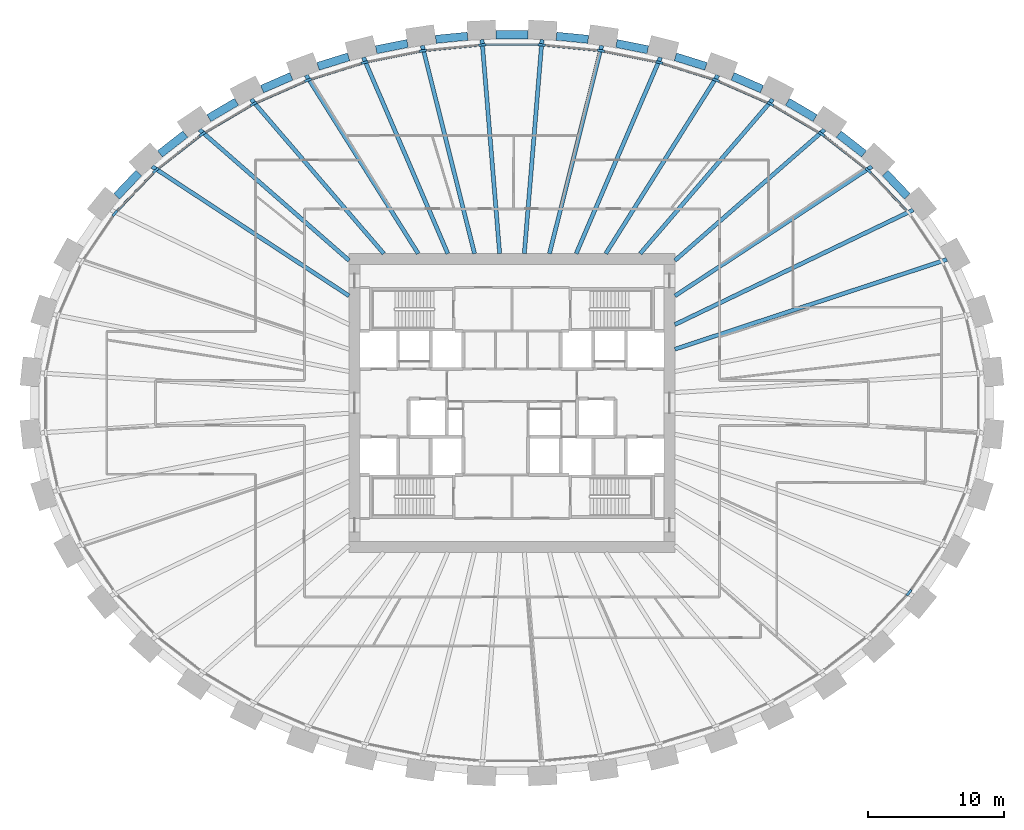
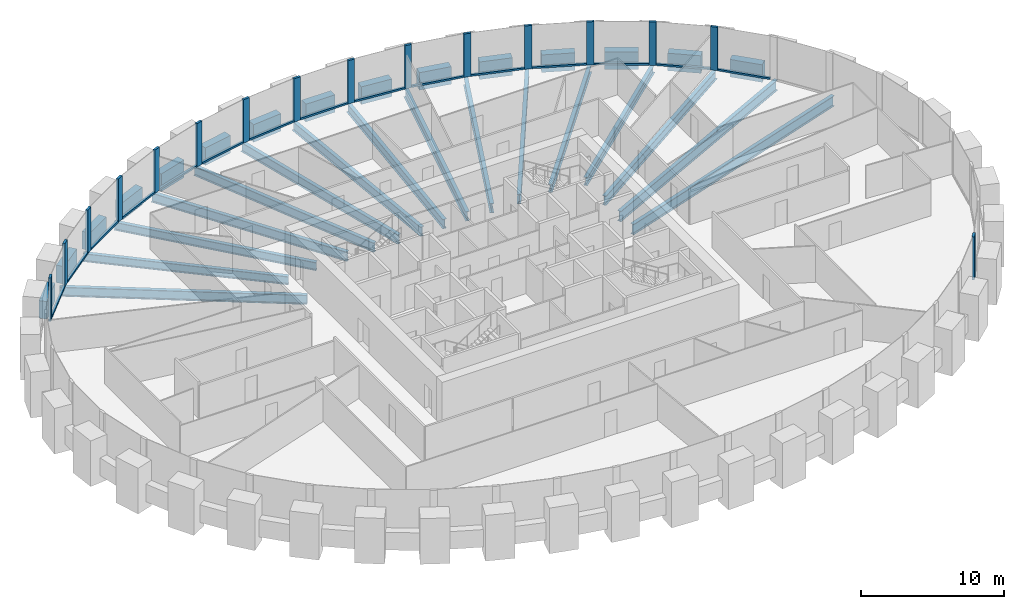
# One storey, part 3 of 11: 31 beams, 31 members, 1 element without a shape of its own.
"""IFC4 building model written with IfcOpenShell, lengths in metres."""

from ifc_helpers import new_model, si_unit, direction, frame, origin, origin_2d, place, context, subcontext, project, spatial, rectangle, i_section, extrude, source, transform, mapped, material, material_profile, profile_set, type_object, element, aggregate, save


model = new_model("IFC4")

# Units and contexts
model_context = context("Model", 3, precision=1e-05, world=origin(), true_north=direction((0.0, 1.0)))
body_context = subcontext(model_context, "Body", "Model", "MODEL_VIEW")
ifc_project = project(units=[si_unit("LENGTHUNIT", "METRE"), si_unit("AREAUNIT", "SQUARE_METRE"), si_unit("VOLUMEUNIT", "CUBIC_METRE"), si_unit("PLANEANGLEUNIT", "RADIAN"), si_unit("MASSUNIT", "GRAM", prefix="KILO")], contexts=[model_context])

# Site, building, storey
site_placement = place(None, origin())
site = spatial("IfcSite", under=ifc_project, at=site_placement, CompositionType="ELEMENT")
building_placement = place(site_placement, origin())
building = spatial("IfcBuilding", under=site, at=building_placement, Name="Embergate Tower", CompositionType="ELEMENT")
storey_placement = place(building_placement, frame((0.0, 0.0, 211.199951171875)))
storey = spatial("IfcBuildingStorey", under=building, at=storey_placement, Name="L48", CompositionType="ELEMENT", Elevation=211.199951171875)

# Beams
ifc_material_1 = material(Name="Concrete C60", Category="concrete")
ifc_material_profile_1 = material_profile(ifc_material_1, rectangle(XDim=0.60009765625, YDim=1.5, at=origin_2d()), Name="RC 600x1500")
ifc_profile_set_1 = profile_set([ifc_material_profile_1], Name="Concrete C60")
beam_type_1 = type_object("IfcBeamType", Name="Spandrel beam RC 600x1500 C60", PredefinedType="BEAM", material=ifc_profile_set_1)
shared_shape_1 = source(origin(), body_context, "Body", "SweptSolid", [
    extrude(rectangle(XDim=0.60009765625, YDim=1.5, at=origin_2d()), origin(), (0.0, 0.0, 1.0), 2.370849609375),
])
for number, where, z_axis, x_axis, name in (
    (1, (29.1240234375, 15.220947265625, 0.0), (-0.690017631866, 0.723792558482, 0.0), (-0.723792558482, -0.690017631866, 0.0), "SPN-L48-03"),
    (2, (-27.488037109375, 16.93701171875, 0.0), (-0.690017631866, -0.723792558482, 0.0), (0.723792558482, -0.690017631866, 0.0), "SPN-L48-17"),
):
    element("IfcBeam", number, at=place(storey_placement, frame(where, z_axis=z_axis, x_axis=x_axis)), inside=storey, type_object=beam_type_1, Name=name, PredefinedType="BEAM", context=body_context, shape_type="MappedRepresentation", body=[
        mapped(shared_shape_1, transform((0.0, 0.0, 0.0))),
    ])
shared_shape_2 = source(origin(), body_context, "Body", "SweptSolid", [
    extrude(rectangle(XDim=0.60009765625, YDim=1.5, at=origin_2d()), origin(), (0.0, 0.0, 1.0), 2.366943359375),
])
for number, where, z_axis, x_axis, name in (
    (3, (25.931884765625, 18.345947265625, 0.0), (-0.788379233054, 0.615189552, 0.0), (-0.615189552, -0.788379233054, 0.0), "SPN-L48-04"),
    (4, (-24.06591796875, 19.802001953125, 0.0), (-0.788379233054, -0.615189552, 0.0), (0.615189552, -0.788379233054, 0.0), "SPN-L48-16"),
):
    element("IfcBeam", number, at=place(storey_placement, frame(where, z_axis=z_axis, x_axis=x_axis)), inside=storey, type_object=beam_type_1, Name=name, PredefinedType="BEAM", context=body_context, shape_type="MappedRepresentation", body=[
        mapped(shared_shape_2, transform((0.0, 0.0, 0.0))),
    ])
shared_shape_3 = source(origin(), body_context, "Body", "SweptSolid", [
    extrude(rectangle(XDim=0.60009765625, YDim=1.5, at=origin_2d()), origin(), (0.0, 0.0, 1.0), 2.36279296875),
])
for number, where, z_axis, x_axis, name in (
    (5, (22.3291015625, 20.98291015625, 0.0), (-0.862170527893, 0.50661818052, 0.0), (-0.50661818052, -0.862170527893, 0.0), "SPN-L48-05"),
    (6, (-20.2919921875, 22.179931640625, 0.0), (-0.862170527893, -0.50661818052, 0.0), (0.50661818052, -0.862170527893, 0.0), "SPN-L48-15"),
):
    element("IfcBeam", number, at=place(storey_placement, frame(where, z_axis=z_axis, x_axis=x_axis)), inside=storey, type_object=beam_type_1, Name=name, PredefinedType="BEAM", context=body_context, shape_type="MappedRepresentation", body=[
        mapped(shared_shape_3, transform((0.0, 0.0, 0.0))),
    ])
shared_shape_4 = source(origin(), body_context, "Body", "SweptSolid", [
    extrude(rectangle(XDim=0.60009765625, YDim=1.5, at=origin_2d()), origin(), (0.0, 0.0, 1.0), 2.357421875),
])
for number, where, z_axis, x_axis, name in (
    (7, (18.4130859375, 23.116943359375, 0.0), (-0.91630938503, 0.400471111201, 0.0), (-0.400471111201, -0.91630938503, 0.0), "SPN-L48-06"),
    (8, (-16.2529296875, 24.06103515625, 0.0), (-0.91630938503, -0.400471111201, 0.0), (0.400471111201, -0.91630938503, 0.0), "SPN-L48-14"),
):
    element("IfcBeam", number, at=place(storey_placement, frame(where, z_axis=z_axis, x_axis=x_axis)), inside=storey, type_object=beam_type_1, Name=name, PredefinedType="BEAM", context=body_context, shape_type="MappedRepresentation", body=[
        mapped(shared_shape_4, transform((0.0, 0.0, 0.0))),
    ])
shared_shape_5 = source(origin(), body_context, "Body", "SweptSolid", [
    extrude(rectangle(XDim=0.60009765625, YDim=1.5, at=origin_2d()), origin(), (0.0, 0.0, 1.0), 2.3564453125),
])
for number, where, z_axis, x_axis, name in (
    (9, (14.285888671875, 24.7958984375, 0.0), (-0.95483326256, 0.297142122073, 0.0), (-0.297142122073, -0.95483326256, 0.0), "SPN-L48-07"),
    (10, (-12.035888671875, 25.49609375, 0.0), (-0.95483326256, -0.297142122073, 0.0), (0.297142122073, -0.95483326256, 0.0), "SPN-L48-13"),
):
    element("IfcBeam", number, at=place(storey_placement, frame(where, z_axis=z_axis, x_axis=x_axis)), inside=storey, type_object=beam_type_1, Name=name, PredefinedType="BEAM", context=body_context, shape_type="MappedRepresentation", body=[
        mapped(shared_shape_5, transform((0.0, 0.0, 0.0))),
    ])
shared_shape_6 = source(origin(), body_context, "Body", "SweptSolid", [
    extrude(rectangle(XDim=0.60009765625, YDim=1.5, at=origin_2d()), origin(), (0.0, 0.0, 1.0), 2.353515625),
])
for number, where, z_axis, x_axis, name in (
    (11, (10.0009765625, 26.01611328125, 0.0), (-0.980552738639, 0.196255768698, 0.0), (-0.196255768698, -0.980552738639, 0.0), "SPN-L48-08"),
    (12, (-7.693115234375, 26.47802734375, 0.0), (-0.980552738639, -0.196255768698, 0.0), (0.196255768698, -0.980552738639, 0.0), "SPN-L48-12"),
):
    element("IfcBeam", number, at=place(storey_placement, frame(where, z_axis=z_axis, x_axis=x_axis)), inside=storey, type_object=beam_type_1, Name=name, PredefinedType="BEAM", context=body_context, shape_type="MappedRepresentation", body=[
        mapped(shared_shape_6, transform((0.0, 0.0, 0.0))),
    ])
shared_shape_7 = source(origin(), body_context, "Body", "SweptSolid", [
    extrude(rectangle(XDim=0.60009765625, YDim=1.5, at=origin_2d()), origin(), (0.0, 0.0, 1.0), 2.353271484375),
])
for number, where, z_axis, x_axis, name in (
    (13, (5.615966796875, 26.7880859375, 0.0), (-0.99521330308, 0.097726564318, 0.0), (-0.097726564318, -0.99521330308, 0.0), "SPN-L48-09"),
    (14, (-3.27392578125, 27.01806640625, 0.0), (-0.99521330308, -0.097726564318, 0.0), (0.097726564318, -0.99521330308, 0.0), "SPN-L48-11"),
):
    element("IfcBeam", number, at=place(storey_placement, frame(where, z_axis=z_axis, x_axis=x_axis)), inside=storey, type_object=beam_type_1, Name=name, PredefinedType="BEAM", context=body_context, shape_type="MappedRepresentation", body=[
        mapped(shared_shape_7, transform((0.0, 0.0, 0.0))),
    ])
shared_shape_8 = source(origin(), body_context, "Body", "SweptSolid", [
    extrude(rectangle(XDim=0.60009765625, YDim=1.5, at=origin_2d()), origin(), (0.0, 0.0, 1.0), 2.35205078125),
])
beam_1_placement = place(storey_placement, frame((1.176025390625, 27.12109375, 0.0), z_axis=(-1.0, 0.0, 0.0), x_axis=(0.0, -1.0, 0.0)))
element("IfcBeam", 15, at=beam_1_placement, inside=storey, type_object=beam_type_1, Name="SPN-L48-10", PredefinedType="BEAM", context=body_context, shape_type="MappedRepresentation", body=[
    mapped(shared_shape_8, transform((0.0, 0.0, 0.0))),
])
ifc_material_2 = material(Name="Steel Q355B", Category="steel")
ifc_material_profile_2 = material_profile(ifc_material_2, i_section(OverallWidth=0.300048828125, OverallDepth=0.89990234375, WebThickness=0.01611328125, FlangeThickness=0.028076171875, FilletRadius=0.028076171875, at=origin_2d()), Name="HN 900x300x16x28")
ifc_profile_set_2 = profile_set([ifc_material_profile_2], Name="Steel Q355 grade B")
beam_type_2 = type_object("IfcBeamType", Name="Radial girder HN 900x300x16x28", PredefinedType="BEAM", material=ifc_profile_set_2)
shared_shape_9 = source(origin(), body_context, "Body", "SweptSolid", [
    extrude(i_section(OverallWidth=0.300048828125, OverallDepth=0.89990234375, WebThickness=0.01611328125, FlangeThickness=0.028076171875, FilletRadius=0.028076171875, at=origin_2d()), origin(), (0.0, 0.0, 1.0), 21.100341796875),
])
beam_2_placement = place(storey_placement, frame((32.0390625, 10.56591796875, -0.64990234375), z_axis=(-0.949698867802, -0.313164590106, 0.0), x_axis=(0.313164590106, -0.949698867802, 0.0)))
element("IfcBeam", 16, at=beam_2_placement, inside=storey, type_object=beam_type_2, Name="GIR-L48-02", PredefinedType="BEAM", context=body_context, shape_type="MappedRepresentation", body=[
    mapped(shared_shape_9, transform((0.0, 0.0, 0.0))),
])
shared_shape_10 = source(origin(), body_context, "Body", "SweptSolid", [
    extrude(i_section(OverallWidth=0.300048828125, OverallDepth=0.89990234375, WebThickness=0.01611328125, FlangeThickness=0.028076171875, FilletRadius=0.028076171875, at=origin_2d()), origin(), (0.0, 0.0, 1.0), 19.480712890625),
])
beam_3_placement = place(storey_placement, frame((29.554931640625, 14.218017578125, -0.64990234375), z_axis=(-0.901148212086, -0.433511130023, 0.0), x_axis=(0.433511130023, -0.901148212086, 0.0)))
element("IfcBeam", 17, at=beam_3_placement, inside=storey, type_object=beam_type_2, Name="GIR-L48-03", PredefinedType="BEAM", context=body_context, shape_type="MappedRepresentation", body=[
    mapped(shared_shape_10, transform((0.0, 0.0, 0.0))),
])
ifc_material_profile_3 = material_profile(ifc_material_2, i_section(OverallWidth=0.300048828125, OverallDepth=0.800048828125, WebThickness=0.013916015625, FlangeThickness=0.02587890625, FilletRadius=0.028076171875, at=origin_2d()), Name="HN 800x300x14x26")
ifc_profile_set_3 = profile_set([ifc_material_profile_3], Name="Steel Q355 grade B")
beam_type_3 = type_object("IfcBeamType", Name="Radial girder HN 800x300x14x26", PredefinedType="BEAM", material=ifc_profile_set_3)
shared_shape_11 = source(origin(), body_context, "Body", "SweptSolid", [
    extrude(i_section(OverallWidth=0.300048828125, OverallDepth=0.800048828125, WebThickness=0.013916015625, FlangeThickness=0.02587890625, FilletRadius=0.028076171875, at=origin_2d()), origin(), (0.0, 0.0, 1.0), 17.3583984375),
])
for number, where, z_axis, x_axis, name in (
    (18, (26.507080078125, 17.416015625, -0.599853515625), (-0.835738306524, -0.549127929547, 0.0), (0.549127929547, -0.835738306524, 0.0), "GIR-L48-04"),
    (19, (-26.507080078125, 17.416015625, -0.599853515625), (0.835738306524, -0.549127929547, 0.0), (0.549127929547, 0.835738306524, 0.0), "GIR-L48-17"),
):
    element("IfcBeam", number, at=place(storey_placement, frame(where, z_axis=z_axis, x_axis=x_axis)), inside=storey, type_object=beam_type_3, Name=name, PredefinedType="BEAM", context=body_context, shape_type="MappedRepresentation", body=[
        mapped(shared_shape_11, transform((0.0, 0.0, 0.0))),
    ])
ifc_material_profile_4 = material_profile(ifc_material_2, i_section(OverallWidth=0.300048828125, OverallDepth=0.699951171875, WebThickness=0.012939453125, FlangeThickness=0.02392578125, FilletRadius=0.01806640625, at=origin_2d()), Name="HN 700x300x13x24")
ifc_profile_set_4 = profile_set([ifc_material_profile_4], Name="Steel Q355 grade B")
beam_type_4 = type_object("IfcBeamType", Name="Radial girder HN 700x300x13x24", PredefinedType="BEAM", material=ifc_profile_set_4)
shared_shape_12 = source(origin(), body_context, "Body", "SweptSolid", [
    extrude(i_section(OverallWidth=0.300048828125, OverallDepth=0.699951171875, WebThickness=0.012939453125, FlangeThickness=0.02392578125, FilletRadius=0.01806640625, at=origin_2d()), origin(), (0.0, 0.0, 1.0), 14.643798828125),
])
for number, where, z_axis, x_axis, name in (
    (20, (23.02294921875, 20.134033203125, -0.550048828125), (-0.752743981282, -0.658313374195, 0.0), (0.658313374195, -0.752743981282, 0.0), "GIR-L48-05"),
    (21, (-23.02294921875, 20.134033203125, -0.550048828125), (0.752743981282, -0.658313374195, 0.0), (0.658313374195, 0.752743981282, 0.0), "GIR-L48-16"),
):
    element("IfcBeam", number, at=place(storey_placement, frame(where, z_axis=z_axis, x_axis=x_axis)), inside=storey, type_object=beam_type_4, Name=name, PredefinedType="BEAM", context=body_context, shape_type="MappedRepresentation", body=[
        mapped(shared_shape_12, transform((0.0, 0.0, 0.0))),
    ])
shared_shape_13 = source(origin(), body_context, "Body", "SweptSolid", [
    extrude(i_section(OverallWidth=0.300048828125, OverallDepth=0.699951171875, WebThickness=0.012939453125, FlangeThickness=0.02392578125, FilletRadius=0.01806640625, at=origin_2d()), origin(), (0.0, 0.0, 1.0), 14.991943359375),
])
for number, where, z_axis, x_axis, name in (
    (22, (19.212890625, 22.3740234375, -0.550048828125), (-0.651471048315, -0.758673495785, 0.0), (0.758673495785, -0.651471048315, 0.0), "GIR-L48-06"),
    (23, (-19.212890625, 22.3740234375, -0.550048828125), (0.651471048315, -0.758673495785, 0.0), (0.758673495785, 0.651471048315, 0.0), "GIR-L48-15"),
):
    element("IfcBeam", number, at=place(storey_placement, frame(where, z_axis=z_axis, x_axis=x_axis)), inside=storey, type_object=beam_type_4, Name=name, PredefinedType="BEAM", context=body_context, shape_type="MappedRepresentation", body=[
        mapped(shared_shape_13, transform((0.0, 0.0, 0.0))),
    ])
shared_shape_14 = source(origin(), body_context, "Body", "SweptSolid", [
    extrude(i_section(OverallWidth=0.300048828125, OverallDepth=0.800048828125, WebThickness=0.013916015625, FlangeThickness=0.02587890625, FilletRadius=0.028076171875, at=origin_2d()), origin(), (0.0, 0.0, 1.0), 15.522216796875),
])
for number, where, z_axis, x_axis, name in (
    (24, (15.1640625, 24.14501953125, -0.599853515625), (-0.531827158809, -0.846852922976, 0.0), (0.846852922976, -0.531827158809, 0.0), "GIR-L48-07"),
    (25, (-15.1640625, 24.14501953125, -0.599853515625), (0.531827158809, -0.846852922976, 0.0), (0.846852922976, 0.531827158809, 0.0), "GIR-L48-14"),
):
    element("IfcBeam", number, at=place(storey_placement, frame(where, z_axis=z_axis, x_axis=x_axis)), inside=storey, type_object=beam_type_3, Name=name, PredefinedType="BEAM", context=body_context, shape_type="MappedRepresentation", body=[
        mapped(shared_shape_14, transform((0.0, 0.0, 0.0))),
    ])
shared_shape_15 = source(origin(), body_context, "Body", "SweptSolid", [
    extrude(i_section(OverallWidth=0.300048828125, OverallDepth=0.800048828125, WebThickness=0.013916015625, FlangeThickness=0.02587890625, FilletRadius=0.028076171875, at=origin_2d()), origin(), (0.0, 0.0, 1.0), 15.739013671875),
])
for number, where, z_axis, x_axis, name in (
    (26, (10.943115234375, 25.4599609375, -0.599853515625), (-0.394883218824, -0.918731322799, 0.0), (0.918731322799, -0.394883218824, 0.0), "GIR-L48-08"),
    (27, (-10.943115234375, 25.4599609375, -0.599853515625), (0.394883218824, -0.918731322799, 0.0), (0.918731322799, 0.394883218824, 0.0), "GIR-L48-13"),
):
    element("IfcBeam", number, at=place(storey_placement, frame(where, z_axis=z_axis, x_axis=x_axis)), inside=storey, type_object=beam_type_3, Name=name, PredefinedType="BEAM", context=body_context, shape_type="MappedRepresentation", body=[
        mapped(shared_shape_15, transform((0.0, 0.0, 0.0))),
    ])
shared_shape_16 = source(origin(), body_context, "Body", "SweptSolid", [
    extrude(i_section(OverallWidth=0.300048828125, OverallDepth=0.800048828125, WebThickness=0.013916015625, FlangeThickness=0.02587890625, FilletRadius=0.028076171875, at=origin_2d()), origin(), (0.0, 0.0, 1.0), 15.8046875),
])
for number, where, z_axis, x_axis, name in (
    (28, (6.60888671875, 26.3291015625, -0.599853515625), (-0.243465990326, -0.969909434718, 0.0), (0.969909434718, -0.243465990326, 0.0), "GIR-L48-09"),
    (29, (-6.60888671875, 26.3291015625, -0.599853515625), (0.243465990326, -0.969909434718, 0.0), (0.969909434718, 0.243465990326, 0.0), "GIR-L48-12"),
):
    element("IfcBeam", number, at=place(storey_placement, frame(where, z_axis=z_axis, x_axis=x_axis)), inside=storey, type_object=beam_type_3, Name=name, PredefinedType="BEAM", context=body_context, shape_type="MappedRepresentation", body=[
        mapped(shared_shape_16, transform((0.0, 0.0, 0.0))),
    ])
shared_shape_17 = source(origin(), body_context, "Body", "SweptSolid", [
    extrude(i_section(OverallWidth=0.300048828125, OverallDepth=0.800048828125, WebThickness=0.013916015625, FlangeThickness=0.02587890625, FilletRadius=0.028076171875, at=origin_2d()), origin(), (0.0, 0.0, 1.0), 15.814697265625),
])
for number, where, z_axis, x_axis, name in (
    (30, (2.2099609375, 26.760986328125, -0.599853515625), (-0.082328727809, -0.99660522805, 0.0), (0.99660522805, -0.082328727809, 0.0), "GIR-L48-10"),
    (31, (-2.2099609375, 26.760986328125, -0.599853515625), (0.082328727809, -0.99660522805, 0.0), (0.99660522805, 0.082328727809, 0.0), "GIR-L48-11"),
):
    element("IfcBeam", number, at=place(storey_placement, frame(where, z_axis=z_axis, x_axis=x_axis)), inside=storey, type_object=beam_type_3, Name=name, PredefinedType="BEAM", context=body_context, shape_type="MappedRepresentation", body=[
        mapped(shared_shape_17, transform((0.0, 0.0, 0.0))),
    ])

# Curtain wall, members
ifc_material_3 = material(Name="Aluminium and glass", Category="aluminium")
curtain_wall_type = type_object("IfcCurtainWallType", Name="Recessed office glazing", PredefinedType="NOTDEFINED", material=ifc_material_3)
curtain_wall_placement = place(storey_placement, origin())
curtain_wall = element("IfcCurtainWall", 32, at=curtain_wall_placement, inside=storey, type_object=curtain_wall_type, Name="Recessed office glazing ring", ObjectType="RECESSED OFFICE GLAZING", PredefinedType="USERDEFINED")
ifc_material_4 = material(Name="Aluminium, thermally broken", Category="aluminium")
ifc_material_profile_5 = material_profile(ifc_material_4, rectangle(XDim=0.179931640625, YDim=0.52001953125, at=origin_2d()), Name="AL 520x180")
ifc_profile_set_5 = profile_set([ifc_material_profile_5], Name="Aluminium, thermally broken")
member_type_1 = type_object("IfcMemberType", Name="Office mullion", PredefinedType="MULLION", material=ifc_profile_set_5)
shared_shape_18 = source(origin(), body_context, "Body", "SweptSolid", [
    extrude(rectangle(XDim=0.179931640625, YDim=0.52001953125, at=origin_2d()), origin(), (0.0, 0.0, 1.0), 3.699951171875),
])
member_1_placement = place(storey_placement, frame((26.245361328125, 17.125732421875, 0.0), z_axis=(0.0, 0.0, 1.0), x_axis=(-0.671230415135, -0.741248763775, 0.0)))
member_1 = element("IfcMember", 33, at=member_1_placement, type_object=member_type_1, Name="CW mullion 5", PredefinedType="MULLION", context=body_context, shape_type="MappedRepresentation", body=[
    mapped(shared_shape_18, transform((0.0, 0.0, 0.0))),
])
member_2_placement = place(storey_placement, frame((22.804443359375, 19.811279296875, 0.0), z_axis=(0.0, 0.0, 1.0), x_axis=(-0.562220505278, -0.826987365953, 0.0)))
member_2 = element("IfcMember", 34, at=member_2_placement, type_object=member_type_1, Name="CW mullion 6", PredefinedType="MULLION", context=body_context, shape_type="MappedRepresentation", body=[
    mapped(shared_shape_18, transform((0.0, 0.0, 0.0))),
])
member_3_placement = place(storey_placement, frame((19.03662109375, 22.026611328125, 0.0), z_axis=(0.0, 0.0, 1.0), x_axis=(-0.454514489796, -0.890739343784, 0.0)))
member_3 = element("IfcMember", 35, at=member_3_placement, type_object=member_type_1, Name="CW mullion 7", PredefinedType="MULLION", context=body_context, shape_type="MappedRepresentation", body=[
    mapped(shared_shape_18, transform((0.0, 0.0, 0.0))),
])
member_4_placement = place(storey_placement, frame((15.02783203125, 23.779296875, 0.0), z_axis=(0.0, 0.0, 1.0), x_axis=(-0.34950595337, -0.936934143128, 0.0)))
member_4 = element("IfcMember", 36, at=member_4_placement, type_object=member_type_1, Name="CW mullion 8", PredefinedType="MULLION", context=body_context, shape_type="MappedRepresentation", body=[
    mapped(shared_shape_18, transform((0.0, 0.0, 0.0))),
])
member_5_placement = place(storey_placement, frame((10.847412109375, 25.081298828125, 0.0), z_axis=(0.0, 0.0, 1.0), x_axis=(-0.247315263593, -0.968935065107, 0.0)))
member_5 = element("IfcMember", 37, at=member_5_placement, type_object=member_type_1, Name="CW mullion 9", PredefinedType="MULLION", context=body_context, shape_type="MappedRepresentation", body=[
    mapped(shared_shape_18, transform((0.0, 0.0, 0.0))),
])
member_6_placement = place(storey_placement, frame((6.55224609375, 25.94287109375, 0.0), z_axis=(0.0, 0.0, 1.0), x_axis=(-0.14741410908, -0.98907486089, 0.0)))
member_6 = element("IfcMember", 38, at=member_6_placement, type_object=member_type_1, Name="CW mullion 10", PredefinedType="MULLION", context=body_context, shape_type="MappedRepresentation", body=[
    mapped(shared_shape_18, transform((0.0, 0.0, 0.0))),
])
member_7_placement = place(storey_placement, frame((2.191162109375, 26.37158203125, 0.0), z_axis=(0.0, 0.0, 1.0), x_axis=(-0.048971796621, -0.998800161762, 0.0)))
member_7 = element("IfcMember", 39, at=member_7_placement, type_object=member_type_1, Name="CW mullion 11", PredefinedType="MULLION", context=body_context, shape_type="MappedRepresentation", body=[
    mapped(shared_shape_18, transform((0.0, 0.0, 0.0))),
])
member_8_placement = place(storey_placement, frame((-2.191162109375, 26.37158203125, 0.0), z_axis=(0.0, 0.0, 1.0), x_axis=(0.048971796621, -0.998800161762, 0.0)))
member_8 = element("IfcMember", 40, at=member_8_placement, type_object=member_type_1, Name="CW mullion 12", PredefinedType="MULLION", context=body_context, shape_type="MappedRepresentation", body=[
    mapped(shared_shape_18, transform((0.0, 0.0, 0.0))),
])
member_9_placement = place(storey_placement, frame((-6.55224609375, 25.94287109375, 0.0), z_axis=(0.0, 0.0, 1.0), x_axis=(0.14741410908, -0.98907486089, 0.0)))
member_9 = element("IfcMember", 41, at=member_9_placement, type_object=member_type_1, Name="CW mullion 13", PredefinedType="MULLION", context=body_context, shape_type="MappedRepresentation", body=[
    mapped(shared_shape_18, transform((0.0, 0.0, 0.0))),
])
member_10_placement = place(storey_placement, frame((-10.847412109375, 25.081298828125, 0.0), z_axis=(0.0, 0.0, 1.0), x_axis=(0.247315263593, -0.968935065107, 0.0)))
member_10 = element("IfcMember", 42, at=member_10_placement, type_object=member_type_1, Name="CW mullion 14", PredefinedType="MULLION", context=body_context, shape_type="MappedRepresentation", body=[
    mapped(shared_shape_18, transform((0.0, 0.0, 0.0))),
])
member_11_placement = place(storey_placement, frame((-15.02783203125, 23.779296875, 0.0), z_axis=(0.0, 0.0, 1.0), x_axis=(0.34950595337, -0.936934143128, 0.0)))
member_11 = element("IfcMember", 43, at=member_11_placement, type_object=member_type_1, Name="CW mullion 15", PredefinedType="MULLION", context=body_context, shape_type="MappedRepresentation", body=[
    mapped(shared_shape_18, transform((0.0, 0.0, 0.0))),
])
member_12_placement = place(storey_placement, frame((-19.03662109375, 22.026611328125, 0.0), z_axis=(0.0, 0.0, 1.0), x_axis=(0.454514489796, -0.890739343784, 0.0)))
member_12 = element("IfcMember", 44, at=member_12_placement, type_object=member_type_1, Name="CW mullion 16", PredefinedType="MULLION", context=body_context, shape_type="MappedRepresentation", body=[
    mapped(shared_shape_18, transform((0.0, 0.0, 0.0))),
])
member_13_placement = place(storey_placement, frame((-22.804443359375, 19.811279296875, 0.0), z_axis=(0.0, 0.0, 1.0), x_axis=(0.562220505278, -0.826987365953, 0.0)))
member_13 = element("IfcMember", 45, at=member_13_placement, type_object=member_type_1, Name="CW mullion 17", PredefinedType="MULLION", context=body_context, shape_type="MappedRepresentation", body=[
    mapped(shared_shape_18, transform((0.0, 0.0, 0.0))),
])
member_14_placement = place(storey_placement, frame((-26.245361328125, 17.125732421875, 0.0), z_axis=(0.0, 0.0, 1.0), x_axis=(0.671230415135, -0.741248763775, 0.0)))
member_14 = element("IfcMember", 46, at=member_14_placement, type_object=member_type_1, Name="CW mullion 18", PredefinedType="MULLION", context=body_context, shape_type="MappedRepresentation", body=[
    mapped(shared_shape_18, transform((0.0, 0.0, 0.0))),
])
member_15_placement = place(storey_placement, frame((-29.25244140625, 13.972412109375, 0.0), z_axis=(0.0, 0.0, 1.0), x_axis=(0.777874757957, -0.628419335264, 0.0)))
member_15 = element("IfcMember", 47, at=member_15_placement, type_object=member_type_1, Name="CW mullion 19", PredefinedType="MULLION", context=body_context, shape_type="MappedRepresentation", body=[
    mapped(shared_shape_18, transform((0.0, 0.0, 0.0))),
])
member_16_placement = place(storey_placement, frame((29.25244140625, -13.972412109375, 0.0), z_axis=(0.0, 0.0, 1.0), x_axis=(-0.777874757957, 0.628419335264, 0.0)))
member_16 = element("IfcMember", 48, at=member_16_placement, type_object=member_type_1, Name="CW mullion 41", PredefinedType="MULLION", context=body_context, shape_type="MappedRepresentation", body=[
    mapped(shared_shape_18, transform((0.0, 0.0, 0.0))),
])
ifc_material_profile_6 = material_profile(ifc_material_4, rectangle(XDim=0.179931640625, YDim=0.14990234375, at=origin_2d()), Name="AL 150x180")
ifc_profile_set_6 = profile_set([ifc_material_profile_6], Name="Aluminium, thermally broken")
member_type_2 = type_object("IfcMemberType", Name="Office sill transom", PredefinedType="USERDEFINED", material=ifc_profile_set_6)
shared_shape_19 = source(origin(), body_context, "Body", "SweptSolid", [
    extrude(rectangle(XDim=0.179931640625, YDim=0.14990234375, at=origin_2d()), origin(), (0.0, 0.0, 1.0), 3.83740234375),
])
member_17_placement = place(storey_placement, frame((29.072998046875, 14.160400390625, 0.074951171875), z_axis=(-0.690110982846, 0.723703552123, 0.0), x_axis=(-0.723703552123, -0.690110982846, 0.0)))
member_17 = element("IfcMember", 49, at=member_17_placement, type_object=member_type_2, Name="CW transom 4.1", ObjectType="TRANSOM", PredefinedType="USERDEFINED", context=body_context, shape_type="MappedRepresentation", body=[
    mapped(shared_shape_19, transform((0.0, 0.0, 0.0))),
])
member_18_placement = place(storey_placement, frame((-26.4248046875, 16.9375, 0.074951171875), z_axis=(-0.690110982846, -0.723703552123, 0.0), x_axis=(0.723703552123, -0.690110982846, 0.0)))
member_18 = element("IfcMember", 50, at=member_18_placement, type_object=member_type_2, Name="CW transom 18.1", ObjectType="TRANSOM", PredefinedType="USERDEFINED", context=body_context, shape_type="MappedRepresentation", body=[
    mapped(shared_shape_19, transform((0.0, 0.0, 0.0))),
])
shared_shape_20 = source(origin(), body_context, "Body", "SweptSolid", [
    extrude(rectangle(XDim=0.179931640625, YDim=0.14990234375, at=origin_2d()), origin(), (0.0, 0.0, 1.0), 3.8447265625),
])
member_19_placement = place(storey_placement, frame((26.040283203125, 17.28564453125, 0.074951171875), z_axis=(-0.788284232177, 0.615311278379, 0.0), x_axis=(-0.615311278379, -0.788284232177, 0.0)))
member_19 = element("IfcMember", 51, at=member_19_placement, type_object=member_type_2, Name="CW transom 5.1", ObjectType="TRANSOM", PredefinedType="USERDEFINED", context=body_context, shape_type="MappedRepresentation", body=[
    mapped(shared_shape_20, transform((0.0, 0.0, 0.0))),
])
member_20_placement = place(storey_placement, frame((-23.009521484375, 19.6513671875, 0.074951171875), z_axis=(-0.788284232177, -0.615311278379, 0.0), x_axis=(0.615311278379, -0.788284232177, 0.0)))
member_20 = element("IfcMember", 52, at=member_20_placement, type_object=member_type_2, Name="CW transom 17.1", ObjectType="TRANSOM", PredefinedType="USERDEFINED", context=body_context, shape_type="MappedRepresentation", body=[
    mapped(shared_shape_20, transform((0.0, 0.0, 0.0))),
])
shared_shape_21 = source(origin(), body_context, "Body", "SweptSolid", [
    extrude(rectangle(XDim=0.179931640625, YDim=0.14990234375, at=origin_2d()), origin(), (0.0, 0.0, 1.0), 3.850830078125),
])
member_21_placement = place(storey_placement, frame((22.580322265625, 19.943115234375, 0.074951171875), z_axis=(-0.862051539353, 0.506820622607, 0.0), x_axis=(-0.506820622607, -0.862051539353, 0.0)))
member_21 = element("IfcMember", 53, at=member_21_placement, type_object=member_type_2, Name="CW transom 6.1", ObjectType="TRANSOM", PredefinedType="USERDEFINED", context=body_context, shape_type="MappedRepresentation", body=[
    mapped(shared_shape_21, transform((0.0, 0.0, 0.0))),
])
member_22_placement = place(storey_placement, frame((-19.2607421875, 21.894775390625, 0.074951171875), z_axis=(-0.862051539353, -0.506820622607, 0.0), x_axis=(0.506820622607, -0.862051539353, 0.0)))
member_22 = element("IfcMember", 54, at=member_22_placement, type_object=member_type_2, Name="CW transom 16.1", ObjectType="TRANSOM", PredefinedType="USERDEFINED", context=body_context, shape_type="MappedRepresentation", body=[
    mapped(shared_shape_21, transform((0.0, 0.0, 0.0))),
])
shared_shape_22 = source(origin(), body_context, "Body", "SweptSolid", [
    extrude(rectangle(XDim=0.179931640625, YDim=0.14990234375, at=origin_2d()), origin(), (0.0, 0.0, 1.0), 3.855224609375),
])
member_23_placement = place(storey_placement, frame((18.79833984375, 22.130615234375, 0.074951171875), z_axis=(-0.916221273565, 0.400672656749, 0.0), x_axis=(-0.400672656749, -0.916221273565, 0.0)))
member_23 = element("IfcMember", 55, at=member_23_placement, type_object=member_type_2, Name="CW transom 7.1", ObjectType="TRANSOM", PredefinedType="USERDEFINED", context=body_context, shape_type="MappedRepresentation", body=[
    mapped(shared_shape_22, transform((0.0, 0.0, 0.0))),
])
member_24_placement = place(storey_placement, frame((-15.26611328125, 23.67529296875, 0.074951171875), z_axis=(-0.916221273565, -0.400672656749, 0.0), x_axis=(0.400672656749, -0.916221273565, 0.0)))
member_24 = element("IfcMember", 56, at=member_24_placement, type_object=member_type_2, Name="CW transom 15.1", ObjectType="TRANSOM", PredefinedType="USERDEFINED", context=body_context, shape_type="MappedRepresentation", body=[
    mapped(shared_shape_22, transform((0.0, 0.0, 0.0))),
])
shared_shape_23 = source(origin(), body_context, "Body", "SweptSolid", [
    extrude(rectangle(XDim=0.179931640625, YDim=0.14990234375, at=origin_2d()), origin(), (0.0, 0.0, 1.0), 3.8583984375),
])
member_25_placement = place(storey_placement, frame((14.779541015625, 23.856689453125, 0.074951171875), z_axis=(-0.954755412544, 0.297392169061, 0.0), x_axis=(-0.297392169061, -0.954755412544, 0.0)))
member_25 = element("IfcMember", 57, at=member_25_placement, type_object=member_type_2, Name="CW transom 8.1", ObjectType="TRANSOM", PredefinedType="USERDEFINED", context=body_context, shape_type="MappedRepresentation", body=[
    mapped(shared_shape_23, transform((0.0, 0.0, 0.0))),
])
member_26_placement = place(storey_placement, frame((-11.095703125, 25.004150390625, 0.074951171875), z_axis=(-0.954755412544, -0.297392169061, 0.0), x_axis=(0.297392169061, -0.954755412544, 0.0)))
member_26 = element("IfcMember", 58, at=member_26_placement, type_object=member_type_2, Name="CW transom 14.1", ObjectType="TRANSOM", PredefinedType="USERDEFINED", context=body_context, shape_type="MappedRepresentation", body=[
    mapped(shared_shape_23, transform((0.0, 0.0, 0.0))),
])
shared_shape_24 = source(origin(), body_context, "Body", "SweptSolid", [
    extrude(rectangle(XDim=0.179931640625, YDim=0.14990234375, at=origin_2d()), origin(), (0.0, 0.0, 1.0), 3.860595703125),
])
member_27_placement = place(storey_placement, frame((10.59228515625, 25.132568359375, 0.074951171875), z_axis=(-0.980480823499, 0.196614736859, 0.0), x_axis=(-0.196614736859, -0.980480823499, 0.0)))
member_27 = element("IfcMember", 59, at=member_27_placement, type_object=member_type_2, Name="CW transom 9.1", ObjectType="TRANSOM", PredefinedType="USERDEFINED", context=body_context, shape_type="MappedRepresentation", body=[
    mapped(shared_shape_24, transform((0.0, 0.0, 0.0))),
])
member_28_placement = place(storey_placement, frame((-6.80712890625, 25.8916015625, 0.074951171875), z_axis=(-0.980480823499, -0.196614736859, 0.0), x_axis=(0.196614736859, -0.980480823499, 0.0)))
member_28 = element("IfcMember", 60, at=member_28_placement, type_object=member_type_2, Name="CW transom 13.1", ObjectType="TRANSOM", PredefinedType="USERDEFINED", context=body_context, shape_type="MappedRepresentation", body=[
    mapped(shared_shape_24, transform((0.0, 0.0, 0.0))),
])
shared_shape_25 = source(origin(), body_context, "Body", "SweptSolid", [
    extrude(rectangle(XDim=0.179931640625, YDim=0.14990234375, at=origin_2d()), origin(), (0.0, 0.0, 1.0), 3.862060546875),
])
member_29_placement = place(storey_placement, frame((6.29345703125, 25.96826171875, 0.074951171875), z_axis=(-0.995200439085, 0.097857478225, 0.0), x_axis=(-0.097857478225, -0.995200439085, 0.0)))
member_29 = element("IfcMember", 61, at=member_29_placement, type_object=member_type_2, Name="CW transom 10.1", ObjectType="TRANSOM", PredefinedType="USERDEFINED", context=body_context, shape_type="MappedRepresentation", body=[
    mapped(shared_shape_25, transform((0.0, 0.0, 0.0))),
])
member_30_placement = place(storey_placement, frame((-2.449951171875, 26.34619140625, 0.074951171875), z_axis=(-0.995200439085, -0.097857478225, 0.0), x_axis=(0.097857478225, -0.995200439085, 0.0)))
member_30 = element("IfcMember", 62, at=member_30_placement, type_object=member_type_2, Name="CW transom 12.1", ObjectType="TRANSOM", PredefinedType="USERDEFINED", context=body_context, shape_type="MappedRepresentation", body=[
    mapped(shared_shape_25, transform((0.0, 0.0, 0.0))),
])
shared_shape_26 = source(origin(), body_context, "Body", "SweptSolid", [
    extrude(rectangle(XDim=0.179931640625, YDim=0.14990234375, at=origin_2d()), origin(), (0.0, 0.0, 1.0), 3.8623046875),
])
member_31_placement = place(storey_placement, frame((1.93115234375, 26.37158203125, 0.074951171875), z_axis=(-1.0, 0.0, 0.0), x_axis=(0.0, -1.0, 0.0)))
member_31 = element("IfcMember", 63, at=member_31_placement, type_object=member_type_2, Name="CW transom 11.1", ObjectType="TRANSOM", PredefinedType="USERDEFINED", context=body_context, shape_type="MappedRepresentation", body=[
    mapped(shared_shape_26, transform((0.0, 0.0, 0.0))),
])
aggregate(curtain_wall, [member_1, member_2, member_3, member_4, member_5, member_6, member_7, member_8, member_9, member_10, member_11, member_12, member_13, member_14, member_15, member_16, member_17, member_19, member_21, member_23, member_25, member_27, member_29, member_31, member_30, member_28, member_26, member_24, member_22, member_20, member_18])

save(model, "model.ifc")
